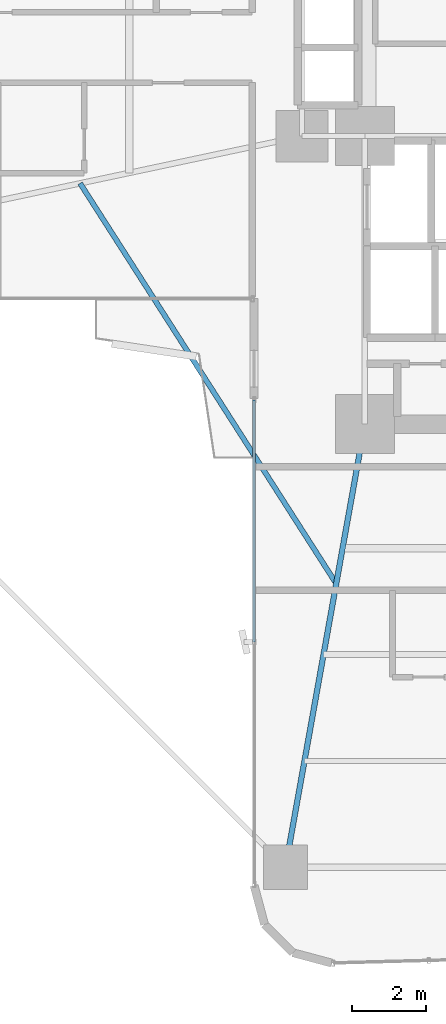
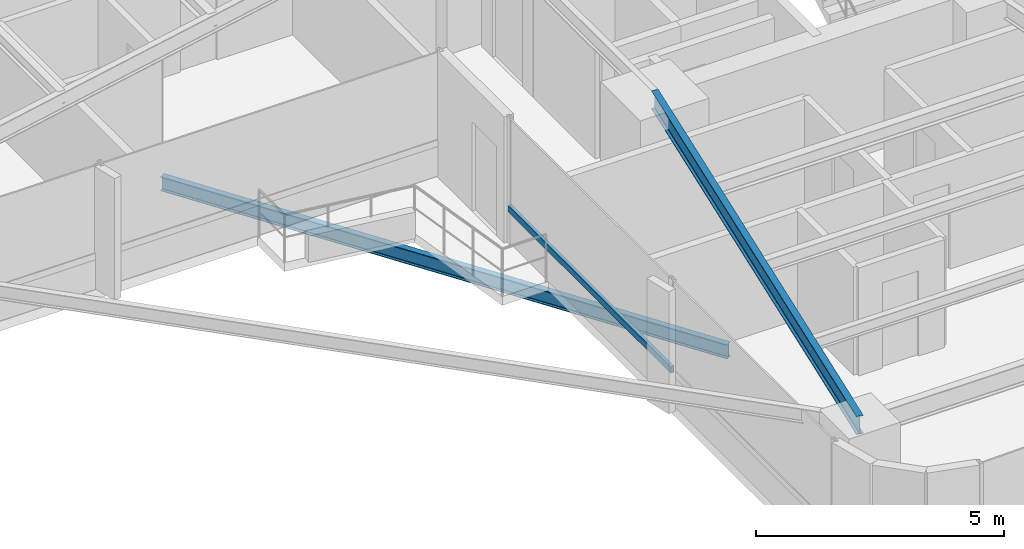
# One storey, part 3 of 26: 2 beams, 1 member, 1 element without a shape of its own.
"""IFC4 building model written with IfcOpenShell, lengths in metres."""

from ifc_helpers import new_model, si_unit, direction, frame, origin, origin_2d, place, context, subcontext, project, spatial, hollow_rectangle, i_section, extrude, source, transform, mapped, material, material_profile, profile_set, type_object, element, aggregate, save


model = new_model("IFC4")

# Units and contexts
model_context = context("Model", 3, precision=1e-05, world=origin(), true_north=direction((0.0, 1.0)))
body_context = subcontext(model_context, "Body", "Model", "MODEL_VIEW")
ifc_project = project(units=[si_unit("LENGTHUNIT", "METRE"), si_unit("AREAUNIT", "SQUARE_METRE"), si_unit("VOLUMEUNIT", "CUBIC_METRE"), si_unit("PLANEANGLEUNIT", "RADIAN"), si_unit("MASSUNIT", "GRAM", prefix="KILO")], contexts=[model_context])

# Site, building, storey
site_placement = place(None, origin())
site = spatial("IfcSite", under=ifc_project, at=site_placement, CompositionType="ELEMENT")
building_placement = place(site_placement, origin())
building = spatial("IfcBuilding", under=site, at=building_placement, Name="Sahyath Konkavel Grand Hotel", CompositionType="ELEMENT")
storey_placement = place(building_placement, frame((0.0, 0.0, 26.449951171875)))
storey = spatial("IfcBuildingStorey", under=building, at=storey_placement, Name="L06", CompositionType="ELEMENT", Elevation=26.449951171875)

# Beam
ifc_material_1 = material(Name="Steel E350", Category="steel")
ifc_material_profile_1 = material_profile(ifc_material_1, i_section(OverallWidth=0.14990234375, OverallDepth=0.449951171875, WebThickness=0.009521484375, FlangeThickness=0.017333984375, FilletRadius=0.014892578125, at=origin_2d()), Name="ISMB 450")
ifc_profile_set_1 = profile_set([ifc_material_profile_1], Name="Steel E350")
beam_type_1 = type_object("IfcBeamType", Name="BM-ISMB450", PredefinedType="BEAM", material=ifc_profile_set_1)
shared_shape_1 = source(origin(), body_context, "Body", "SweptSolid", [
    extrude(i_section(OverallWidth=0.14990234375, OverallDepth=0.449951171875, WebThickness=0.009521484375, FlangeThickness=0.017333984375, FilletRadius=0.014892578125, at=origin_2d()), origin(), (0.0, 0.0, 1.0), 12.191162109375),
])
beam_1_placement = place(storey_placement, frame((-3.800048828125, -10.199951171875, 2.885009765625), z_axis=(-0.176350650305, -0.984327409014, 0.0), x_axis=(0.984327409014, -0.176350650305, 0.0)))
element("IfcBeam", 1, at=beam_1_placement, inside=storey, type_object=beam_type_1, Name="L06 Cruciform Radial Girder SA", PredefinedType="BEAM", context=body_context, shape_type="MappedRepresentation", body=[
    mapped(shared_shape_1, transform((0.0, 0.0, 0.0), scale=1.0)),
])

# Curtain wall, member
ifc_material_2 = material(Name="Anodised Bronze Aluminium & Low-E Glazing", Category="aluminium")
curtain_wall_type = type_object("IfcCurtainWallType", Name="CW-ZONE1", PredefinedType="NOTDEFINED", material=ifc_material_2)
curtain_wall_placement = place(storey_placement, origin())
curtain_wall = element("IfcCurtainWall", 2, at=curtain_wall_placement, inside=storey, type_object=curtain_wall_type, Name="L06 Unitised Curtain Wall F24", PredefinedType="NOTDEFINED")
ifc_material_3 = material(Name="Anodised Bronze Aluminium", Category="aluminium")
ifc_material_profile_2 = material_profile(ifc_material_3, hollow_rectangle(XDim=0.080078125, YDim=0.159912109375, WallThickness=0.006103515625, at=origin_2d()), Name="RHS 160x80x6")
ifc_profile_set_2 = profile_set([ifc_material_profile_2], Name="Anodised Bronze Aluminium")
member_type = type_object("IfcMemberType", Name="CW-TRN-160", PredefinedType="USERDEFINED", material=ifc_profile_set_2)
shared_shape_2 = source(origin(), body_context, "Body", "SweptSolid", [
    extrude(hollow_rectangle(XDim=0.080078125, YDim=0.159912109375, WallThickness=0.006103515625, at=origin_2d()), origin(), (0.0, 0.0, 1.0), 6.56005859375),
])
member_placement = place(storey_placement, frame((-6.800048828125, -9.5400390625, 0.85009765625), z_axis=(0.0, -1.0, 0.0), x_axis=(1.0, 0.0, 0.0)))
member = element("IfcMember", 3, at=member_placement, type_object=member_type, Name="L06 Curtain Wall Transom F24-0-spandrel", ObjectType="TRANSOM", PredefinedType="USERDEFINED", context=body_context, shape_type="MappedRepresentation", body=[
    mapped(shared_shape_2, transform((0.0, 0.0, 0.0), scale=1.0)),
])
aggregate(curtain_wall, [member])

# Beam
ifc_material_profile_3 = material_profile(ifc_material_1, i_section(OverallWidth=0.139892578125, OverallDepth=0.35009765625, WebThickness=0.008056640625, FlangeThickness=0.01416015625, FilletRadius=0.013916015625, at=origin_2d()), Name="ISMB 350")
ifc_profile_set_3 = profile_set([ifc_material_profile_3], Name="Steel E350")
beam_type_2 = type_object("IfcBeamType", Name="BM-BALC-CANT", PredefinedType="BEAM", material=ifc_profile_set_3)
shared_shape_3 = source(origin(), body_context, "Body", "SweptSolid", [
    extrude(i_section(OverallWidth=0.139892578125, OverallDepth=0.35009765625, WebThickness=0.008056640625, FlangeThickness=0.01416015625, FilletRadius=0.013916015625, at=origin_2d()), origin(), (0.0, 0.0, 1.0), 12.871826171875),
])
beam_2_placement = place(storey_placement, frame((-11.511962890625, -3.677978515625, -0.4150390625), z_axis=(0.539003102535, -0.842303778608, 0.0), x_axis=(0.842303778608, 0.539003102535, 0.0)))
element("IfcBeam", 4, at=beam_2_placement, inside=storey, type_object=beam_type_2, Name="L06 Balcony Cantilever Support Beam SW", PredefinedType="BEAM", context=body_context, shape_type="MappedRepresentation", body=[
    mapped(shared_shape_3, transform((0.0, 0.0, 0.0), scale=1.0)),
])

save(model, "model.ifc")
